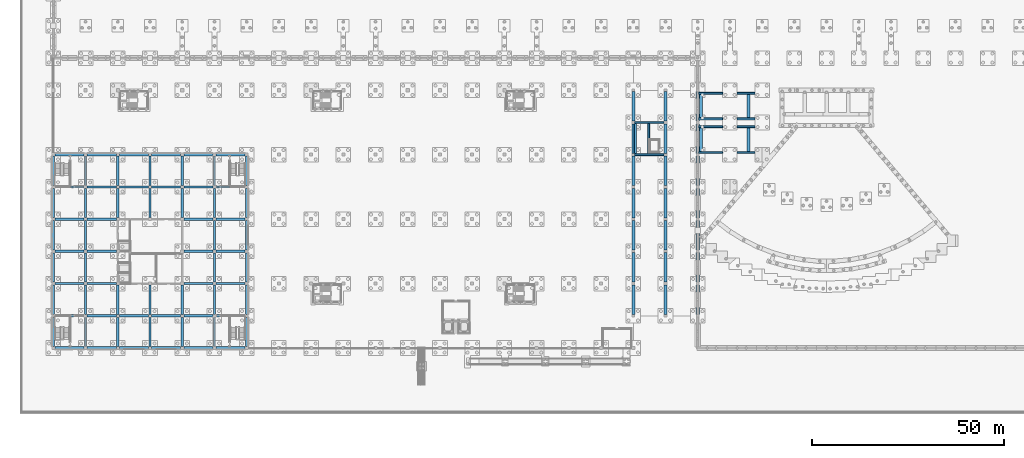
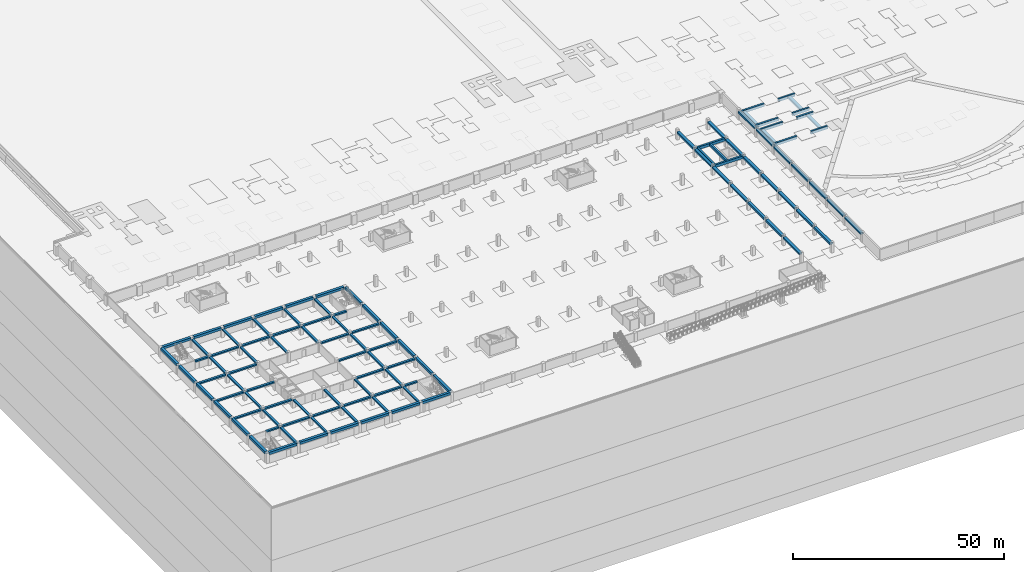
# One storey, part 28 of 67: 109 beams.
"""IFC4 building model written with IfcOpenShell, lengths in metres."""

from ifc_helpers import new_model, si_unit, direction, frame, origin, origin_2d, place, context, subcontext, project, spatial, rectangle, extrude, material, material_profile, profile_set, type_object, element, save


model = new_model("IFC4")

# Units and contexts
model_context = context("Model", 3, precision=1e-05, world=origin(), true_north=direction((0.0, 1.0)))
body_context = subcontext(model_context, "Body", "Model", "MODEL_VIEW")
ifc_project = project(units=[si_unit("LENGTHUNIT", "METRE"), si_unit("AREAUNIT", "SQUARE_METRE"), si_unit("VOLUMEUNIT", "CUBIC_METRE"), si_unit("PLANEANGLEUNIT", "RADIAN"), si_unit("MASSUNIT", "GRAM", prefix="KILO")], contexts=[model_context])

# Site, building, storey
site_placement = place(None, origin())
site = spatial("IfcSite", under=ifc_project, at=site_placement, CompositionType="ELEMENT")
building_placement = place(site_placement, origin())
building = spatial("IfcBuilding", under=site, at=building_placement, Name="Rain Tree Exposition and Congress Centre", CompositionType="ELEMENT")
storey_placement = place(building_placement, frame((0.0, 0.0, -3.0)))
storey = spatial("IfcBuildingStorey", under=building, at=storey_placement, Name="B1", CompositionType="ELEMENT", Elevation=-3.0)

# Beams
ifc_material_1 = material(Name="Precast concrete C50/60", Category="concrete")
ifc_material_profile_1 = material_profile(ifc_material_1, rectangle(XDim=0.5, YDim=0.800048828125, at=origin_2d()), Name="RC 500x800")
ifc_profile_set_1 = profile_set([ifc_material_profile_1], Name="Precast concrete C50/60")
beam_type_1 = type_object("IfcBeamType", Name="Precast beam 500x800", PredefinedType="BEAM", material=ifc_profile_set_1)
beam_1_placement = place(storey_placement, frame((151.199951171875, 8.75, 2.25), z_axis=(0.0, 1.0, 0.0), x_axis=(0.0, 0.0, 1.0)))
element("IfcBeam", 1, at=beam_1_placement, inside=storey, type_object=beam_type_1, Name="Foyer deck beam", PredefinedType="BEAM", context=body_context, shape_type="SweptSolid", body=[
    extrude(rectangle(XDim=0.5, YDim=0.800048828125, at=origin_2d()), origin(), (0.0, 0.0, 1.0), 7.699951171875),
])
beam_2_placement = place(storey_placement, frame((151.199951171875, 17.14990234375, 2.25), z_axis=(0.0, 1.0, 0.0), x_axis=(0.0, 0.0, 1.0)))
element("IfcBeam", 2, at=beam_2_placement, inside=storey, type_object=beam_type_1, Name="Foyer deck beam", PredefinedType="BEAM", context=body_context, shape_type="SweptSolid", body=[
    extrude(rectangle(XDim=0.5, YDim=0.800048828125, at=origin_2d()), origin(), (0.0, 0.0, 1.0), 7.7001953125),
])
for number, where, z_axis, x_axis, name in (
    (3, (151.199951171875, 25.550048828125, 2.25), (0.0, 1.0, 0.0), (0.0, 0.0, 1.0), "Foyer deck beam"),
    (4, (151.199951171875, 33.949951171875, 2.25), (0.0, 1.0, 0.0), (0.0, 0.0, 1.0), "Foyer deck beam"),
    (5, (151.199951171875, 42.35009765625, 2.25), (0.0, 1.0, 0.0), (0.0, 0.0, 1.0), "Foyer deck beam"),
    (6, (151.199951171875, 50.75, 2.25), (0.0, 1.0, 0.0), (0.0, 0.0, 1.0), "Foyer deck beam"),
):
    element("IfcBeam", number, at=place(storey_placement, frame(where, z_axis=z_axis, x_axis=x_axis)), inside=storey, type_object=beam_type_1, Name=name, PredefinedType="BEAM", context=body_context, shape_type="SweptSolid", body=[
        extrude(rectangle(XDim=0.5, YDim=0.800048828125, at=origin_2d()), origin(), (0.0, 0.0, 1.0), 7.699951171875),
    ])
beam_3_placement = place(storey_placement, frame((151.199951171875, 59.14990234375, 2.25), z_axis=(0.0, 1.0, 0.0), x_axis=(0.0, 0.0, 1.0)))
element("IfcBeam", 7, at=beam_3_placement, inside=storey, type_object=beam_type_1, Name="Foyer deck beam", PredefinedType="BEAM", context=body_context, shape_type="SweptSolid", body=[
    extrude(rectangle(XDim=0.5, YDim=0.800048828125, at=origin_2d()), origin(), (0.0, 0.0, 1.0), 7.7001953125),
])
beam_4_placement = place(storey_placement, frame((159.60009765625, 8.75, 2.25), z_axis=(0.0, 1.0, 0.0), x_axis=(0.0, 0.0, 1.0)))
element("IfcBeam", 8, at=beam_4_placement, inside=storey, type_object=beam_type_1, Name="Foyer deck beam", PredefinedType="BEAM", context=body_context, shape_type="SweptSolid", body=[
    extrude(rectangle(XDim=0.5, YDim=0.800048828125, at=origin_2d()), origin(), (0.0, 0.0, 1.0), 7.699951171875),
])
beam_5_placement = place(storey_placement, frame((159.60009765625, 17.14990234375, 2.25), z_axis=(0.0, 1.0, 0.0), x_axis=(0.0, 0.0, 1.0)))
element("IfcBeam", 9, at=beam_5_placement, inside=storey, type_object=beam_type_1, Name="Foyer deck beam", PredefinedType="BEAM", context=body_context, shape_type="SweptSolid", body=[
    extrude(rectangle(XDim=0.5, YDim=0.800048828125, at=origin_2d()), origin(), (0.0, 0.0, 1.0), 7.7001953125),
])
for number, where, z_axis, x_axis, name in (
    (10, (159.60009765625, 25.550048828125, 2.25), (0.0, 1.0, 0.0), (0.0, 0.0, 1.0), "Foyer deck beam"),
    (11, (159.60009765625, 33.949951171875, 2.25), (0.0, 1.0, 0.0), (0.0, 0.0, 1.0), "Foyer deck beam"),
    (12, (159.60009765625, 42.35009765625, 2.25), (0.0, 1.0, 0.0), (0.0, 0.0, 1.0), "Foyer deck beam"),
    (13, (159.60009765625, 50.75, 2.25), (0.0, 1.0, 0.0), (0.0, 0.0, 1.0), "Foyer deck beam"),
):
    element("IfcBeam", number, at=place(storey_placement, frame(where, z_axis=z_axis, x_axis=x_axis)), inside=storey, type_object=beam_type_1, Name=name, PredefinedType="BEAM", context=body_context, shape_type="SweptSolid", body=[
        extrude(rectangle(XDim=0.5, YDim=0.800048828125, at=origin_2d()), origin(), (0.0, 0.0, 1.0), 7.699951171875),
    ])
beam_6_placement = place(storey_placement, frame((159.60009765625, 59.14990234375, 2.25), z_axis=(0.0, 1.0, 0.0), x_axis=(0.0, 0.0, 1.0)))
element("IfcBeam", 14, at=beam_6_placement, inside=storey, type_object=beam_type_1, Name="Foyer deck beam", PredefinedType="BEAM", context=body_context, shape_type="SweptSolid", body=[
    extrude(rectangle(XDim=0.5, YDim=0.800048828125, at=origin_2d()), origin(), (0.0, 0.0, 1.0), 7.7001953125),
])
beam_7_placement = place(storey_placement, frame((168.0, 8.75, 2.25), z_axis=(0.0, 1.0, 0.0), x_axis=(0.0, 0.0, 1.0)))
element("IfcBeam", 15, at=beam_7_placement, inside=storey, type_object=beam_type_1, Name="Foyer deck beam", PredefinedType="BEAM", context=body_context, shape_type="SweptSolid", body=[
    extrude(rectangle(XDim=0.5, YDim=0.800048828125, at=origin_2d()), origin(), (0.0, 0.0, 1.0), 7.699951171875),
])
beam_8_placement = place(storey_placement, frame((168.0, 17.14990234375, 2.25), z_axis=(0.0, 1.0, 0.0), x_axis=(0.0, 0.0, 1.0)))
element("IfcBeam", 16, at=beam_8_placement, inside=storey, type_object=beam_type_1, Name="Foyer deck beam", PredefinedType="BEAM", context=body_context, shape_type="SweptSolid", body=[
    extrude(rectangle(XDim=0.5, YDim=0.800048828125, at=origin_2d()), origin(), (0.0, 0.0, 1.0), 7.7001953125),
])
for number, where, z_axis, x_axis, name in (
    (17, (168.0, 25.550048828125, 2.25), (0.0, 1.0, 0.0), (0.0, 0.0, 1.0), "Foyer deck beam"),
    (18, (168.0, 33.949951171875, 2.25), (0.0, 1.0, 0.0), (0.0, 0.0, 1.0), "Foyer deck beam"),
    (19, (168.0, 42.35009765625, 2.25), (0.0, 1.0, 0.0), (0.0, 0.0, 1.0), "Foyer deck beam"),
    (20, (168.0, 50.75, 2.25), (0.0, 1.0, 0.0), (0.0, 0.0, 1.0), "Foyer deck beam"),
):
    element("IfcBeam", number, at=place(storey_placement, frame(where, z_axis=z_axis, x_axis=x_axis)), inside=storey, type_object=beam_type_1, Name=name, PredefinedType="BEAM", context=body_context, shape_type="SweptSolid", body=[
        extrude(rectangle(XDim=0.5, YDim=0.800048828125, at=origin_2d()), origin(), (0.0, 0.0, 1.0), 7.699951171875),
    ])
beam_9_placement = place(storey_placement, frame((168.0, 59.14990234375, 2.25), z_axis=(0.0, 1.0, 0.0), x_axis=(0.0, 0.0, 1.0)))
element("IfcBeam", 21, at=beam_9_placement, inside=storey, type_object=beam_type_1, Name="Foyer deck beam", PredefinedType="BEAM", context=body_context, shape_type="SweptSolid", body=[
    extrude(rectangle(XDim=0.5, YDim=0.800048828125, at=origin_2d()), origin(), (0.0, 0.0, 1.0), 7.7001953125),
])
for number, where, z_axis, x_axis, name in (
    (22, (151.550048828125, 50.39990234375, 2.25), (1.0, 0.0, 0.0), (0.0, 1.0, 0.0), "Stair core support beam"),
    (23, (151.550048828125, 58.800048828125, 2.25), (1.0, 0.0, 0.0), (0.0, 1.0, 0.0), "Stair core support beam"),
):
    element("IfcBeam", number, at=place(storey_placement, frame(where, z_axis=z_axis, x_axis=x_axis)), inside=storey, type_object=beam_type_1, Name=name, PredefinedType="BEAM", context=body_context, shape_type="SweptSolid", body=[
        extrude(rectangle(XDim=0.5, YDim=0.800048828125, at=origin_2d()), origin(), (0.0, 0.0, 1.0), 7.699951171875),
    ])
for number, where, z_axis, x_axis, name in (
    (24, (151.75, 50.64990234375, 2.25), (0.0, 1.0, 0.0), (-1.0, 0.0, 0.0), "Stair core support beam"),
    (25, (155.199951171875, 50.64990234375, 2.25), (0.0, 1.0, 0.0), (-1.0, 0.0, 0.0), "Stair core support beam"),
):
    element("IfcBeam", number, at=place(storey_placement, frame(where, z_axis=z_axis, x_axis=x_axis)), inside=storey, type_object=beam_type_1, Name=name, PredefinedType="BEAM", context=body_context, shape_type="SweptSolid", body=[
        extrude(rectangle(XDim=0.5, YDim=0.800048828125, at=origin_2d()), origin(), (0.0, 0.0, 1.0), 7.900146484375),
    ])
beam_10_placement = place(storey_placement, frame((168.25, 50.97509765625, 2.300048828125), z_axis=(1.0, 0.0, 0.0), x_axis=(0.0, 1.0, 0.0)))
element("IfcBeam", 26, at=beam_10_placement, inside=storey, type_object=beam_type_1, Name="Stair core support beam", PredefinedType="BEAM", context=body_context, shape_type="SweptSolid", body=[
    extrude(rectangle(XDim=0.5, YDim=0.800048828125, at=origin_2d()), origin(), (0.0, 0.0, 1.0), 6.25),
])
beam_11_placement = place(storey_placement, frame((178.300048828125, 50.97509765625, 2.300048828125), z_axis=(1.0, 0.0, 0.0), x_axis=(0.0, 1.0, 0.0)))
element("IfcBeam", 27, at=beam_11_placement, inside=storey, type_object=beam_type_1, Name="Stair core support beam", PredefinedType="BEAM", context=body_context, shape_type="SweptSolid", body=[
    extrude(rectangle(XDim=0.5, YDim=0.800048828125, at=origin_2d()), origin(), (0.0, 0.0, 1.0), 4.599853515625),
])
beam_12_placement = place(storey_placement, frame((168.25, 57.72509765625, 2.300048828125), z_axis=(1.0, 0.0, 0.0), x_axis=(0.0, 1.0, 0.0)))
element("IfcBeam", 28, at=beam_12_placement, inside=storey, type_object=beam_type_1, Name="Stair core support beam", PredefinedType="BEAM", context=body_context, shape_type="SweptSolid", body=[
    extrude(rectangle(XDim=0.5, YDim=0.800048828125, at=origin_2d()), origin(), (0.0, 0.0, 1.0), 6.25),
])
beam_13_placement = place(storey_placement, frame((178.300048828125, 57.72509765625, 2.300048828125), z_axis=(1.0, 0.0, 0.0), x_axis=(0.0, 1.0, 0.0)))
element("IfcBeam", 29, at=beam_13_placement, inside=storey, type_object=beam_type_1, Name="Stair core support beam", PredefinedType="BEAM", context=body_context, shape_type="SweptSolid", body=[
    extrude(rectangle(XDim=0.5, YDim=0.800048828125, at=origin_2d()), origin(), (0.0, 0.0, 1.0), 4.599853515625),
])
for number, where, z_axis, x_axis, name in (
    (30, (168.875, 51.22509765625, 2.300048828125), (0.0, 1.0, 0.0), (0.0, 0.0, 1.0), "Stair core support beam"),
    (31, (181.22509765625, 51.22509765625, 2.300048828125), (0.0, 1.0, 0.0), (0.0, 0.0, 1.0), "Stair core support beam"),
    (32, (168.25, 59.72509765625, 2.300048828125), (1.0, 0.0, 0.0), (0.0, 1.0, 0.0), "Stair core support beam"),
):
    element("IfcBeam", number, at=place(storey_placement, frame(where, z_axis=z_axis, x_axis=x_axis)), inside=storey, type_object=beam_type_1, Name=name, PredefinedType="BEAM", context=body_context, shape_type="SweptSolid", body=[
        extrude(rectangle(XDim=0.5, YDim=0.800048828125, at=origin_2d()), origin(), (0.0, 0.0, 1.0), 6.25),
    ])
beam_14_placement = place(storey_placement, frame((178.300048828125, 59.72509765625, 2.300048828125), z_axis=(1.0, 0.0, 0.0), x_axis=(0.0, 1.0, 0.0)))
element("IfcBeam", 33, at=beam_14_placement, inside=storey, type_object=beam_type_1, Name="Stair core support beam", PredefinedType="BEAM", context=body_context, shape_type="SweptSolid", body=[
    extrude(rectangle(XDim=0.5, YDim=0.800048828125, at=origin_2d()), origin(), (0.0, 0.0, 1.0), 4.599853515625),
])
beam_15_placement = place(storey_placement, frame((168.25, 66.47509765625, 2.300048828125), z_axis=(1.0, 0.0, 0.0), x_axis=(0.0, 1.0, 0.0)))
element("IfcBeam", 34, at=beam_15_placement, inside=storey, type_object=beam_type_1, Name="Stair core support beam", PredefinedType="BEAM", context=body_context, shape_type="SweptSolid", body=[
    extrude(rectangle(XDim=0.5, YDim=0.800048828125, at=origin_2d()), origin(), (0.0, 0.0, 1.0), 6.25),
])
beam_16_placement = place(storey_placement, frame((178.300048828125, 66.47509765625, 2.300048828125), z_axis=(1.0, 0.0, 0.0), x_axis=(0.0, 1.0, 0.0)))
element("IfcBeam", 35, at=beam_16_placement, inside=storey, type_object=beam_type_1, Name="Stair core support beam", PredefinedType="BEAM", context=body_context, shape_type="SweptSolid", body=[
    extrude(rectangle(XDim=0.5, YDim=0.800048828125, at=origin_2d()), origin(), (0.0, 0.0, 1.0), 4.599853515625),
])
for number, where, z_axis, x_axis, name in (
    (36, (168.875, 59.97509765625, 2.300048828125), (0.0, 1.0, 0.0), (0.0, 0.0, 1.0), "Stair core support beam"),
    (37, (181.22509765625, 59.97509765625, 2.300048828125), (0.0, 1.0, 0.0), (0.0, 0.0, 1.0), "Stair core support beam"),
):
    element("IfcBeam", number, at=place(storey_placement, frame(where, z_axis=z_axis, x_axis=x_axis)), inside=storey, type_object=beam_type_1, Name=name, PredefinedType="BEAM", context=body_context, shape_type="SweptSolid", body=[
        extrude(rectangle(XDim=0.5, YDim=0.800048828125, at=origin_2d()), origin(), (0.0, 0.0, 1.0), 6.25),
    ])
ifc_material_2 = material(Name="Precast concrete C50/60", Category="concrete")
ifc_material_profile_2 = material_profile(ifc_material_2, rectangle(XDim=0.60009765625, YDim=0.39990234375, at=origin_2d()), Name="RC 600x400")
ifc_profile_set_2 = profile_set([ifc_material_profile_2], Name="Precast concrete C50/60")
beam_type_2 = type_object("IfcBeamType", Name="Precast beam 600x400", PredefinedType="BEAM", material=ifc_profile_set_2)
beam_17_placement = place(storey_placement, frame((4.5, 8.39990234375, 2.340087890625), z_axis=(1.0, 0.0, 0.0), x_axis=(0.0, 1.0, 0.0)))
element("IfcBeam", 38, at=beam_17_placement, inside=storey, type_object=beam_type_2, Name="wing/beam/B1/L00/013", PredefinedType="BEAM", context=body_context, shape_type="SweptSolid", body=[
    extrude(rectangle(XDim=0.60009765625, YDim=0.39990234375, at=origin_2d()), origin(), (0.0, 0.0, 1.0), 3.5),
])
beam_18_placement = place(storey_placement, frame((8.39990234375, 0.39990234375, 2.340087890625), z_axis=(0.0, 1.0, 0.0), x_axis=(-1.0, 0.0, 0.0)))
element("IfcBeam", 39, at=beam_18_placement, inside=storey, type_object=beam_type_2, Name="wing/beam/B1/L00/014", PredefinedType="BEAM", context=body_context, shape_type="SweptSolid", body=[
    extrude(rectangle(XDim=0.60009765625, YDim=0.39990234375, at=origin_2d()), origin(), (0.0, 0.0, 1.0), 7.60009765625),
])
for number, where, z_axis, x_axis, name in (
    (40, (8.800048828125, 8.39990234375, 2.340087890625), (1.0, 0.0, 0.0), (0.0, 1.0, 0.0), "wing/beam/B1/L00/015"),
    (41, (8.39990234375, 8.800048828125, 2.340087890625), (0.0, 1.0, 0.0), (-1.0, 0.0, 0.0), "wing/beam/B1/L00/016"),
):
    element("IfcBeam", number, at=place(storey_placement, frame(where, z_axis=z_axis, x_axis=x_axis)), inside=storey, type_object=beam_type_2, Name=name, PredefinedType="BEAM", context=body_context, shape_type="SweptSolid", body=[
        extrude(rectangle(XDim=0.60009765625, YDim=0.39990234375, at=origin_2d()), origin(), (0.0, 0.0, 1.0), 7.599853515625),
    ])
for number, where, z_axis, x_axis, name in (
    (42, (17.199951171875, 8.39990234375, 2.340087890625), (1.0, 0.0, 0.0), (0.0, 1.0, 0.0), "wing/beam/B1/L00/017"),
    (43, (8.39990234375, 17.199951171875, 2.340087890625), (0.0, 1.0, 0.0), (-1.0, 0.0, 0.0), "wing/beam/B1/L00/018"),
):
    element("IfcBeam", number, at=place(storey_placement, frame(where, z_axis=z_axis, x_axis=x_axis)), inside=storey, type_object=beam_type_2, Name=name, PredefinedType="BEAM", context=body_context, shape_type="SweptSolid", body=[
        extrude(rectangle(XDim=0.60009765625, YDim=0.39990234375, at=origin_2d()), origin(), (0.0, 0.0, 1.0), 7.60009765625),
    ])
for number, where, z_axis, x_axis, name in (
    (44, (25.60009765625, 8.39990234375, 2.340087890625), (1.0, 0.0, 0.0), (0.0, 1.0, 0.0), "wing/beam/B1/L00/019"),
    (45, (8.39990234375, 25.60009765625, 2.340087890625), (0.0, 1.0, 0.0), (-1.0, 0.0, 0.0), "wing/beam/B1/L00/020"),
):
    element("IfcBeam", number, at=place(storey_placement, frame(where, z_axis=z_axis, x_axis=x_axis)), inside=storey, type_object=beam_type_2, Name=name, PredefinedType="BEAM", context=body_context, shape_type="SweptSolid", body=[
        extrude(rectangle(XDim=0.60009765625, YDim=0.39990234375, at=origin_2d()), origin(), (0.0, 0.0, 1.0), 7.599853515625),
    ])
for number, where, z_axis, x_axis, name in (
    (46, (34.0, 8.39990234375, 2.340087890625), (1.0, 0.0, 0.0), (0.0, 1.0, 0.0), "wing/beam/B1/L00/021"),
    (47, (8.39990234375, 34.0, 2.340087890625), (0.0, 1.0, 0.0), (-1.0, 0.0, 0.0), "wing/beam/B1/L00/022"),
):
    element("IfcBeam", number, at=place(storey_placement, frame(where, z_axis=z_axis, x_axis=x_axis)), inside=storey, type_object=beam_type_2, Name=name, PredefinedType="BEAM", context=body_context, shape_type="SweptSolid", body=[
        extrude(rectangle(XDim=0.60009765625, YDim=0.39990234375, at=origin_2d()), origin(), (0.0, 0.0, 1.0), 7.60009765625),
    ])
beam_19_placement = place(storey_placement, frame((42.39990234375, 8.39990234375, 2.340087890625), z_axis=(1.0, 0.0, 0.0), x_axis=(0.0, 1.0, 0.0)))
element("IfcBeam", 48, at=beam_19_placement, inside=storey, type_object=beam_type_2, Name="wing/beam/B1/L00/023", PredefinedType="BEAM", context=body_context, shape_type="SweptSolid", body=[
    extrude(rectangle(XDim=0.60009765625, YDim=0.39990234375, at=origin_2d()), origin(), (0.0, 0.0, 1.0), 3.5),
])
for number, where, z_axis, x_axis, name in (
    (49, (8.39990234375, 42.39990234375, 2.340087890625), (0.0, 1.0, 0.0), (-1.0, 0.0, 0.0), "wing/beam/B1/L00/024"),
    (50, (0.39990234375, 16.800048828125, 2.340087890625), (1.0, 0.0, 0.0), (0.0, 1.0, 0.0), "wing/beam/B1/L00/025"),
    (51, (16.800048828125, 0.39990234375, 2.340087890625), (0.0, 1.0, 0.0), (-1.0, 0.0, 0.0), "wing/beam/B1/L00/026"),
):
    element("IfcBeam", number, at=place(storey_placement, frame(where, z_axis=z_axis, x_axis=x_axis)), inside=storey, type_object=beam_type_2, Name=name, PredefinedType="BEAM", context=body_context, shape_type="SweptSolid", body=[
        extrude(rectangle(XDim=0.60009765625, YDim=0.39990234375, at=origin_2d()), origin(), (0.0, 0.0, 1.0), 7.60009765625),
    ])
for number, where, z_axis, x_axis, name in (
    (52, (8.800048828125, 16.800048828125, 2.340087890625), (1.0, 0.0, 0.0), (0.0, 1.0, 0.0), "wing/beam/B1/L00/027"),
    (53, (16.800048828125, 8.800048828125, 2.340087890625), (0.0, 1.0, 0.0), (-1.0, 0.0, 0.0), "wing/beam/B1/L00/028"),
):
    element("IfcBeam", number, at=place(storey_placement, frame(where, z_axis=z_axis, x_axis=x_axis)), inside=storey, type_object=beam_type_2, Name=name, PredefinedType="BEAM", context=body_context, shape_type="SweptSolid", body=[
        extrude(rectangle(XDim=0.60009765625, YDim=0.39990234375, at=origin_2d()), origin(), (0.0, 0.0, 1.0), 7.599853515625),
    ])
for number, where, z_axis, x_axis, name in (
    (54, (34.0, 16.800048828125, 2.340087890625), (1.0, 0.0, 0.0), (0.0, 1.0, 0.0), "wing/beam/B1/L00/029"),
    (55, (16.800048828125, 34.0, 2.340087890625), (0.0, 1.0, 0.0), (-1.0, 0.0, 0.0), "wing/beam/B1/L00/030"),
    (56, (42.39990234375, 16.800048828125, 2.340087890625), (1.0, 0.0, 0.0), (0.0, 1.0, 0.0), "wing/beam/B1/L00/031"),
    (57, (16.800048828125, 42.39990234375, 2.340087890625), (0.0, 1.0, 0.0), (-1.0, 0.0, 0.0), "wing/beam/B1/L00/032"),
    (58, (0.39990234375, 25.199951171875, 2.340087890625), (1.0, 0.0, 0.0), (0.0, 1.0, 0.0), "wing/beam/B1/L00/033"),
    (59, (25.199951171875, 0.39990234375, 2.340087890625), (0.0, 1.0, 0.0), (-1.0, 0.0, 0.0), "wing/beam/B1/L00/034"),
):
    element("IfcBeam", number, at=place(storey_placement, frame(where, z_axis=z_axis, x_axis=x_axis)), inside=storey, type_object=beam_type_2, Name=name, PredefinedType="BEAM", context=body_context, shape_type="SweptSolid", body=[
        extrude(rectangle(XDim=0.60009765625, YDim=0.39990234375, at=origin_2d()), origin(), (0.0, 0.0, 1.0), 7.60009765625),
    ])
for number, where, z_axis, x_axis, name in (
    (60, (8.800048828125, 25.199951171875, 2.340087890625), (1.0, 0.0, 0.0), (0.0, 1.0, 0.0), "wing/beam/B1/L00/035"),
    (61, (25.199951171875, 8.800048828125, 2.340087890625), (0.0, 1.0, 0.0), (-1.0, 0.0, 0.0), "wing/beam/B1/L00/036"),
):
    element("IfcBeam", number, at=place(storey_placement, frame(where, z_axis=z_axis, x_axis=x_axis)), inside=storey, type_object=beam_type_2, Name=name, PredefinedType="BEAM", context=body_context, shape_type="SweptSolid", body=[
        extrude(rectangle(XDim=0.60009765625, YDim=0.39990234375, at=origin_2d()), origin(), (0.0, 0.0, 1.0), 7.599853515625),
    ])
for number, where, z_axis, x_axis, name in (
    (62, (34.0, 25.199951171875, 2.340087890625), (1.0, 0.0, 0.0), (0.0, 1.0, 0.0), "wing/beam/B1/L00/037"),
    (63, (25.199951171875, 34.0, 2.340087890625), (0.0, 1.0, 0.0), (-1.0, 0.0, 0.0), "wing/beam/B1/L00/038"),
    (64, (42.39990234375, 25.199951171875, 2.340087890625), (1.0, 0.0, 0.0), (0.0, 1.0, 0.0), "wing/beam/B1/L00/039"),
    (65, (25.199951171875, 42.39990234375, 2.340087890625), (0.0, 1.0, 0.0), (-1.0, 0.0, 0.0), "wing/beam/B1/L00/040"),
    (66, (0.39990234375, 33.60009765625, 2.340087890625), (1.0, 0.0, 0.0), (0.0, 1.0, 0.0), "wing/beam/B1/L00/041"),
    (67, (33.60009765625, 0.39990234375, 2.340087890625), (0.0, 1.0, 0.0), (-1.0, 0.0, 0.0), "wing/beam/B1/L00/042"),
):
    element("IfcBeam", number, at=place(storey_placement, frame(where, z_axis=z_axis, x_axis=x_axis)), inside=storey, type_object=beam_type_2, Name=name, PredefinedType="BEAM", context=body_context, shape_type="SweptSolid", body=[
        extrude(rectangle(XDim=0.60009765625, YDim=0.39990234375, at=origin_2d()), origin(), (0.0, 0.0, 1.0), 7.60009765625),
    ])
for number, where, z_axis, x_axis, name in (
    (68, (8.800048828125, 33.60009765625, 2.340087890625), (1.0, 0.0, 0.0), (0.0, 1.0, 0.0), "wing/beam/B1/L00/043"),
    (69, (33.60009765625, 8.800048828125, 2.340087890625), (0.0, 1.0, 0.0), (-1.0, 0.0, 0.0), "wing/beam/B1/L00/044"),
):
    element("IfcBeam", number, at=place(storey_placement, frame(where, z_axis=z_axis, x_axis=x_axis)), inside=storey, type_object=beam_type_2, Name=name, PredefinedType="BEAM", context=body_context, shape_type="SweptSolid", body=[
        extrude(rectangle(XDim=0.60009765625, YDim=0.39990234375, at=origin_2d()), origin(), (0.0, 0.0, 1.0), 7.599853515625),
    ])
for number, where, z_axis, x_axis, name in (
    (70, (34.0, 33.60009765625, 2.340087890625), (1.0, 0.0, 0.0), (0.0, 1.0, 0.0), "wing/beam/B1/L00/045"),
    (71, (33.60009765625, 34.0, 2.340087890625), (0.0, 1.0, 0.0), (-1.0, 0.0, 0.0), "wing/beam/B1/L00/046"),
    (72, (42.39990234375, 33.60009765625, 2.340087890625), (1.0, 0.0, 0.0), (0.0, 1.0, 0.0), "wing/beam/B1/L00/047"),
    (73, (33.60009765625, 42.39990234375, 2.340087890625), (0.0, 1.0, 0.0), (-1.0, 0.0, 0.0), "wing/beam/B1/L00/048"),
):
    element("IfcBeam", number, at=place(storey_placement, frame(where, z_axis=z_axis, x_axis=x_axis)), inside=storey, type_object=beam_type_2, Name=name, PredefinedType="BEAM", context=body_context, shape_type="SweptSolid", body=[
        extrude(rectangle(XDim=0.60009765625, YDim=0.39990234375, at=origin_2d()), origin(), (0.0, 0.0, 1.0), 7.60009765625),
    ])
beam_20_placement = place(storey_placement, frame((4.5, 42.0, 2.340087890625), z_axis=(1.0, 0.0, 0.0), x_axis=(0.0, 1.0, 0.0)))
element("IfcBeam", 74, at=beam_20_placement, inside=storey, type_object=beam_type_2, Name="wing/beam/B1/L00/049", PredefinedType="BEAM", context=body_context, shape_type="SweptSolid", body=[
    extrude(rectangle(XDim=0.60009765625, YDim=0.39990234375, at=origin_2d()), origin(), (0.0, 0.0, 1.0), 3.5),
])
beam_21_placement = place(storey_placement, frame((42.0, 0.39990234375, 2.340087890625), z_axis=(0.0, 1.0, 0.0), x_axis=(-1.0, 0.0, 0.0)))
element("IfcBeam", 75, at=beam_21_placement, inside=storey, type_object=beam_type_2, Name="wing/beam/B1/L00/050", PredefinedType="BEAM", context=body_context, shape_type="SweptSolid", body=[
    extrude(rectangle(XDim=0.60009765625, YDim=0.39990234375, at=origin_2d()), origin(), (0.0, 0.0, 1.0), 7.60009765625),
])
for number, where, z_axis, x_axis, name in (
    (76, (8.800048828125, 42.0, 2.340087890625), (1.0, 0.0, 0.0), (0.0, 1.0, 0.0), "wing/beam/B1/L00/051"),
    (77, (42.0, 8.800048828125, 2.340087890625), (0.0, 1.0, 0.0), (-1.0, 0.0, 0.0), "wing/beam/B1/L00/052"),
):
    element("IfcBeam", number, at=place(storey_placement, frame(where, z_axis=z_axis, x_axis=x_axis)), inside=storey, type_object=beam_type_2, Name=name, PredefinedType="BEAM", context=body_context, shape_type="SweptSolid", body=[
        extrude(rectangle(XDim=0.60009765625, YDim=0.39990234375, at=origin_2d()), origin(), (0.0, 0.0, 1.0), 7.599853515625),
    ])
for number, where, z_axis, x_axis, name in (
    (78, (17.199951171875, 42.0, 2.340087890625), (1.0, 0.0, 0.0), (0.0, 1.0, 0.0), "wing/beam/B1/L00/053"),
    (79, (42.0, 17.199951171875, 2.340087890625), (0.0, 1.0, 0.0), (-1.0, 0.0, 0.0), "wing/beam/B1/L00/054"),
):
    element("IfcBeam", number, at=place(storey_placement, frame(where, z_axis=z_axis, x_axis=x_axis)), inside=storey, type_object=beam_type_2, Name=name, PredefinedType="BEAM", context=body_context, shape_type="SweptSolid", body=[
        extrude(rectangle(XDim=0.60009765625, YDim=0.39990234375, at=origin_2d()), origin(), (0.0, 0.0, 1.0), 7.60009765625),
    ])
for number, where, z_axis, x_axis, name in (
    (80, (25.60009765625, 42.0, 2.340087890625), (1.0, 0.0, 0.0), (0.0, 1.0, 0.0), "wing/beam/B1/L00/055"),
    (81, (42.0, 25.60009765625, 2.340087890625), (0.0, 1.0, 0.0), (-1.0, 0.0, 0.0), "wing/beam/B1/L00/056"),
):
    element("IfcBeam", number, at=place(storey_placement, frame(where, z_axis=z_axis, x_axis=x_axis)), inside=storey, type_object=beam_type_2, Name=name, PredefinedType="BEAM", context=body_context, shape_type="SweptSolid", body=[
        extrude(rectangle(XDim=0.60009765625, YDim=0.39990234375, at=origin_2d()), origin(), (0.0, 0.0, 1.0), 7.599853515625),
    ])
for number, where, z_axis, x_axis, name in (
    (82, (34.0, 42.0, 2.340087890625), (1.0, 0.0, 0.0), (0.0, 1.0, 0.0), "wing/beam/B1/L00/057"),
    (83, (42.0, 34.0, 2.340087890625), (0.0, 1.0, 0.0), (-1.0, 0.0, 0.0), "wing/beam/B1/L00/058"),
):
    element("IfcBeam", number, at=place(storey_placement, frame(where, z_axis=z_axis, x_axis=x_axis)), inside=storey, type_object=beam_type_2, Name=name, PredefinedType="BEAM", context=body_context, shape_type="SweptSolid", body=[
        extrude(rectangle(XDim=0.60009765625, YDim=0.39990234375, at=origin_2d()), origin(), (0.0, 0.0, 1.0), 7.60009765625),
    ])
beam_22_placement = place(storey_placement, frame((42.39990234375, 42.0, 2.340087890625), z_axis=(1.0, 0.0, 0.0), x_axis=(0.0, 1.0, 0.0)))
element("IfcBeam", 84, at=beam_22_placement, inside=storey, type_object=beam_type_2, Name="wing/beam/B1/L00/059", PredefinedType="BEAM", context=body_context, shape_type="SweptSolid", body=[
    extrude(rectangle(XDim=0.60009765625, YDim=0.39990234375, at=origin_2d()), origin(), (0.0, 0.0, 1.0), 3.5),
])
beam_23_placement = place(storey_placement, frame((42.0, 42.39990234375, 2.340087890625), z_axis=(0.0, 1.0, 0.0), x_axis=(-1.0, 0.0, 0.0)))
element("IfcBeam", 85, at=beam_23_placement, inside=storey, type_object=beam_type_2, Name="wing/beam/B1/L00/060", PredefinedType="BEAM", context=body_context, shape_type="SweptSolid", body=[
    extrude(rectangle(XDim=0.60009765625, YDim=0.39990234375, at=origin_2d()), origin(), (0.0, 0.0, 1.0), 7.60009765625),
])
ifc_material_3 = material(Name="Precast concrete C50/60", Category="concrete")
ifc_material_profile_3 = material_profile(ifc_material_3, rectangle(XDim=0.699951171875, YDim=0.699951171875, at=origin_2d()), Name="RC 700x700")
ifc_profile_set_3 = profile_set([ifc_material_profile_3], Name="Precast concrete C50/60")
beam_type_3 = type_object("IfcBeamType", Name="Precast spandrel beam 700x700", PredefinedType="SPANDREL", material=ifc_profile_set_3)
for number, where, z_axis, x_axis, name in (
    (86, (0.39990234375, 0.0, 2.64990234375), (1.0, 0.0, 0.0), (0.0, 1.0, 0.0), "wing/beam/B1/L00/001"),
    (87, (0.0, 0.39990234375, 2.64990234375), (0.0, 1.0, 0.0), (-1.0, 0.0, 0.0), "wing/beam/B1/L00/002"),
):
    element("IfcBeam", number, at=place(storey_placement, frame(where, z_axis=z_axis, x_axis=x_axis)), inside=storey, type_object=beam_type_3, Name=name, PredefinedType="SPANDREL", context=body_context, shape_type="SweptSolid", body=[
        extrude(rectangle(XDim=0.699951171875, YDim=0.699951171875, at=origin_2d()), origin(), (0.0, 0.0, 1.0), 7.60009765625),
    ])
for number, where, z_axis, x_axis, name in (
    (88, (8.800048828125, 0.0, 2.64990234375), (1.0, 0.0, 0.0), (0.0, 1.0, 0.0), "wing/beam/B1/L00/003"),
    (89, (0.0, 8.800048828125, 2.64990234375), (0.0, 1.0, 0.0), (-1.0, 0.0, 0.0), "wing/beam/B1/L00/004"),
):
    element("IfcBeam", number, at=place(storey_placement, frame(where, z_axis=z_axis, x_axis=x_axis)), inside=storey, type_object=beam_type_3, Name=name, PredefinedType="SPANDREL", context=body_context, shape_type="SweptSolid", body=[
        extrude(rectangle(XDim=0.699951171875, YDim=0.699951171875, at=origin_2d()), origin(), (0.0, 0.0, 1.0), 7.599853515625),
    ])
for number, where, z_axis, x_axis, name in (
    (90, (17.199951171875, 0.0, 2.64990234375), (1.0, 0.0, 0.0), (0.0, 1.0, 0.0), "wing/beam/B1/L00/005"),
    (91, (0.0, 17.199951171875, 2.64990234375), (0.0, 1.0, 0.0), (-1.0, 0.0, 0.0), "wing/beam/B1/L00/006"),
):
    element("IfcBeam", number, at=place(storey_placement, frame(where, z_axis=z_axis, x_axis=x_axis)), inside=storey, type_object=beam_type_3, Name=name, PredefinedType="SPANDREL", context=body_context, shape_type="SweptSolid", body=[
        extrude(rectangle(XDim=0.699951171875, YDim=0.699951171875, at=origin_2d()), origin(), (0.0, 0.0, 1.0), 7.60009765625),
    ])
for number, where, z_axis, x_axis, name in (
    (92, (25.60009765625, 0.0, 2.64990234375), (1.0, 0.0, 0.0), (0.0, 1.0, 0.0), "wing/beam/B1/L00/007"),
    (93, (0.0, 25.60009765625, 2.64990234375), (0.0, 1.0, 0.0), (-1.0, 0.0, 0.0), "wing/beam/B1/L00/008"),
):
    element("IfcBeam", number, at=place(storey_placement, frame(where, z_axis=z_axis, x_axis=x_axis)), inside=storey, type_object=beam_type_3, Name=name, PredefinedType="SPANDREL", context=body_context, shape_type="SweptSolid", body=[
        extrude(rectangle(XDim=0.699951171875, YDim=0.699951171875, at=origin_2d()), origin(), (0.0, 0.0, 1.0), 7.599853515625),
    ])
for number, where, z_axis, x_axis, name in (
    (94, (34.0, 0.0, 2.64990234375), (1.0, 0.0, 0.0), (0.0, 1.0, 0.0), "wing/beam/B1/L00/009"),
    (95, (0.0, 34.0, 2.64990234375), (0.0, 1.0, 0.0), (-1.0, 0.0, 0.0), "wing/beam/B1/L00/010"),
    (96, (42.39990234375, 0.0, 2.64990234375), (1.0, 0.0, 0.0), (0.0, 1.0, 0.0), "wing/beam/B1/L00/011"),
    (97, (0.0, 42.39990234375, 2.64990234375), (0.0, 1.0, 0.0), (-1.0, 0.0, 0.0), "wing/beam/B1/L00/012"),
    (98, (0.39990234375, 50.39990234375, 2.64990234375), (1.0, 0.0, 0.0), (0.0, 1.0, 0.0), "wing/beam/B1/L00/061"),
    (99, (50.39990234375, 0.39990234375, 2.64990234375), (0.0, 1.0, 0.0), (-1.0, 0.0, 0.0), "wing/beam/B1/L00/062"),
):
    element("IfcBeam", number, at=place(storey_placement, frame(where, z_axis=z_axis, x_axis=x_axis)), inside=storey, type_object=beam_type_3, Name=name, PredefinedType="SPANDREL", context=body_context, shape_type="SweptSolid", body=[
        extrude(rectangle(XDim=0.699951171875, YDim=0.699951171875, at=origin_2d()), origin(), (0.0, 0.0, 1.0), 7.60009765625),
    ])
for number, where, z_axis, x_axis, name in (
    (100, (8.800048828125, 50.39990234375, 2.64990234375), (1.0, 0.0, 0.0), (0.0, 1.0, 0.0), "wing/beam/B1/L00/063"),
    (101, (50.39990234375, 8.800048828125, 2.64990234375), (0.0, 1.0, 0.0), (-1.0, 0.0, 0.0), "wing/beam/B1/L00/064"),
):
    element("IfcBeam", number, at=place(storey_placement, frame(where, z_axis=z_axis, x_axis=x_axis)), inside=storey, type_object=beam_type_3, Name=name, PredefinedType="SPANDREL", context=body_context, shape_type="SweptSolid", body=[
        extrude(rectangle(XDim=0.699951171875, YDim=0.699951171875, at=origin_2d()), origin(), (0.0, 0.0, 1.0), 7.599853515625),
    ])
for number, where, z_axis, x_axis, name in (
    (102, (17.199951171875, 50.39990234375, 2.64990234375), (1.0, 0.0, 0.0), (0.0, 1.0, 0.0), "wing/beam/B1/L00/065"),
    (103, (50.39990234375, 17.199951171875, 2.64990234375), (0.0, 1.0, 0.0), (-1.0, 0.0, 0.0), "wing/beam/B1/L00/066"),
):
    element("IfcBeam", number, at=place(storey_placement, frame(where, z_axis=z_axis, x_axis=x_axis)), inside=storey, type_object=beam_type_3, Name=name, PredefinedType="SPANDREL", context=body_context, shape_type="SweptSolid", body=[
        extrude(rectangle(XDim=0.699951171875, YDim=0.699951171875, at=origin_2d()), origin(), (0.0, 0.0, 1.0), 7.60009765625),
    ])
for number, where, z_axis, x_axis, name in (
    (104, (25.60009765625, 50.39990234375, 2.64990234375), (1.0, 0.0, 0.0), (0.0, 1.0, 0.0), "wing/beam/B1/L00/067"),
    (105, (50.39990234375, 25.60009765625, 2.64990234375), (0.0, 1.0, 0.0), (-1.0, 0.0, 0.0), "wing/beam/B1/L00/068"),
):
    element("IfcBeam", number, at=place(storey_placement, frame(where, z_axis=z_axis, x_axis=x_axis)), inside=storey, type_object=beam_type_3, Name=name, PredefinedType="SPANDREL", context=body_context, shape_type="SweptSolid", body=[
        extrude(rectangle(XDim=0.699951171875, YDim=0.699951171875, at=origin_2d()), origin(), (0.0, 0.0, 1.0), 7.599853515625),
    ])
for number, where, z_axis, x_axis, name in (
    (106, (34.0, 50.39990234375, 2.64990234375), (1.0, 0.0, 0.0), (0.0, 1.0, 0.0), "wing/beam/B1/L00/069"),
    (107, (50.39990234375, 34.0, 2.64990234375), (0.0, 1.0, 0.0), (-1.0, 0.0, 0.0), "wing/beam/B1/L00/070"),
    (108, (42.39990234375, 50.39990234375, 2.64990234375), (1.0, 0.0, 0.0), (0.0, 1.0, 0.0), "wing/beam/B1/L00/071"),
    (109, (50.39990234375, 42.39990234375, 2.64990234375), (0.0, 1.0, 0.0), (-1.0, 0.0, 0.0), "wing/beam/B1/L00/072"),
):
    element("IfcBeam", number, at=place(storey_placement, frame(where, z_axis=z_axis, x_axis=x_axis)), inside=storey, type_object=beam_type_3, Name=name, PredefinedType="SPANDREL", context=body_context, shape_type="SweptSolid", body=[
        extrude(rectangle(XDim=0.699951171875, YDim=0.699951171875, at=origin_2d()), origin(), (0.0, 0.0, 1.0), 7.60009765625),
    ])

save(model, "model.ifc")
